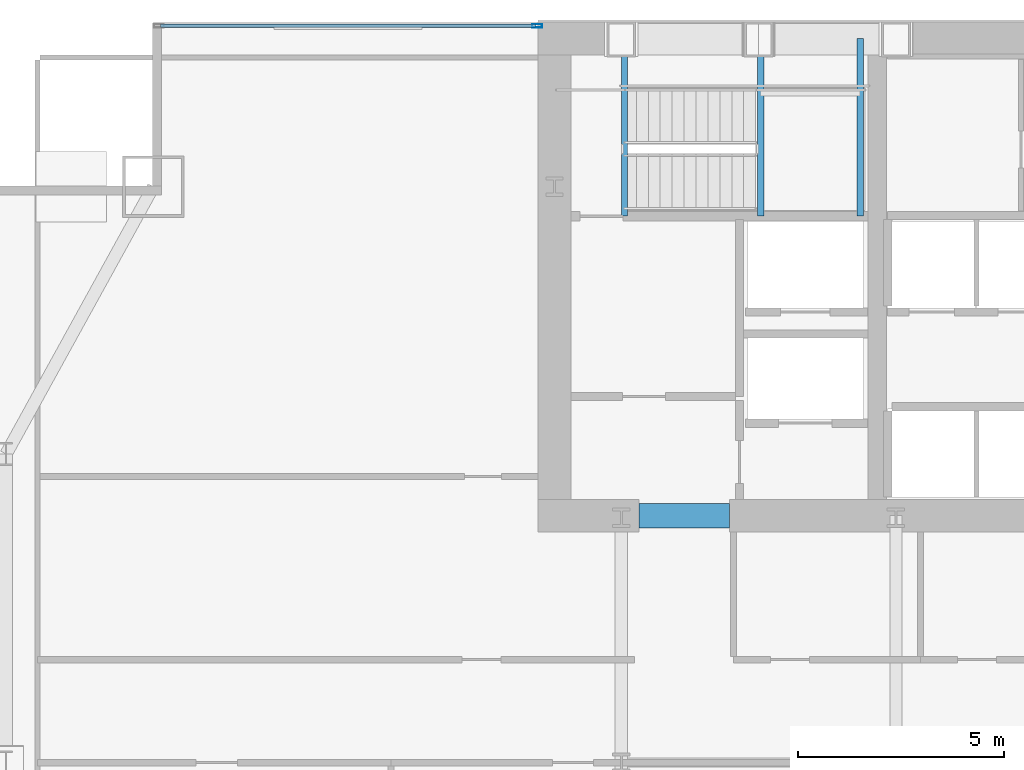
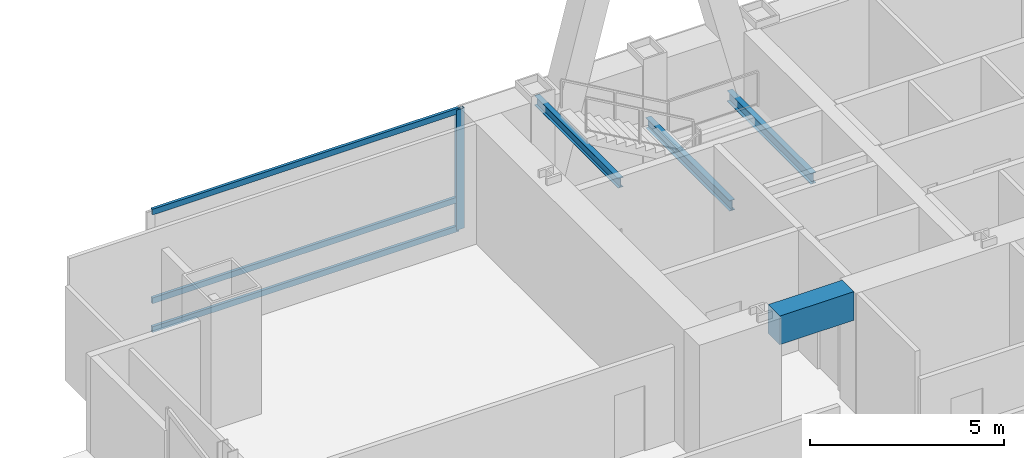
# One storey, part 17 of 32: 4 beams, 4 members, 1 element without a shape of its own.
"""IFC4 building model written with IfcOpenShell, lengths in metres."""

from ifc_helpers import new_model, si_unit, direction, frame, origin, origin_2d, place, context, subcontext, project, spatial, rectangle, hollow_rectangle, i_section, extrude, material, material_profile, profile_set, type_object, element, aggregate, save


model = new_model("IFC4")

# Units and contexts
model_context = context("Model", 3, precision=1e-05, world=origin(), true_north=direction((0.0, 1.0)))
body_context = subcontext(model_context, "Body", "Model", "MODEL_VIEW")
ifc_project = project(units=[si_unit("LENGTHUNIT", "METRE"), si_unit("AREAUNIT", "SQUARE_METRE"), si_unit("VOLUMEUNIT", "CUBIC_METRE"), si_unit("PLANEANGLEUNIT", "RADIAN"), si_unit("MASSUNIT", "GRAM", prefix="KILO")], contexts=[model_context])

# Site, building, storey
site_placement = place(None, origin())
site = spatial("IfcSite", under=ifc_project, at=site_placement, CompositionType="ELEMENT")
building_placement = place(site_placement, origin())
building = spatial("IfcBuilding", under=site, at=building_placement, Name="Khoronbel Lancet Exchange", CompositionType="ELEMENT")
storey_placement = place(building_placement, frame((0.0, 0.0, 81.800048828125)))
storey = spatial("IfcBuildingStorey", under=building, at=storey_placement, Name="L19", CompositionType="ELEMENT", Elevation=81.800048828125)

# Beams
ifc_material_1 = material(Name="Steel S355", Category="steel")
ifc_material_profile_1 = material_profile(ifc_material_1, i_section(OverallWidth=0.159912109375, OverallDepth=0.330078125, WebThickness=0.007568359375, FlangeThickness=0.011474609375, at=origin_2d()), Name="IPE 330")
ifc_profile_set_1 = profile_set([ifc_material_profile_1], Name="Steel S355")
beam_type_1 = type_object("IfcBeamType", Name="BM-BJ7", PredefinedType="JOIST", material=ifc_profile_set_1)
for number, where, z_axis, x_axis, name in (
    (1, (21.610107421875, 48.97998046875, 1.635009765625), (0.0, 1.0, 0.0), (-1.0, 0.0, 0.0), "Level L19 stair ST1 landing bearer beam 1"),
    (2, (24.030029296875, 48.97998046875, 1.635009765625), (0.0, 1.0, 0.0), (-1.0, 0.0, 0.0), "Level L19 stair ST1 rear landing bearer beam 1"),
):
    element("IfcBeam", number, at=place(storey_placement, frame(where, z_axis=z_axis, x_axis=x_axis)), inside=storey, type_object=beam_type_1, Name=name, PredefinedType="JOIST", context=body_context, shape_type="SweptSolid", body=[
        extrude(i_section(OverallWidth=0.159912109375, OverallDepth=0.330078125, WebThickness=0.007568359375, FlangeThickness=0.011474609375, at=origin_2d()), origin(), (0.0, 0.0, 1.0), 4.320068359375),
    ])
ifc_material_profile_2 = material_profile(ifc_material_1, i_section(OverallWidth=0.14990234375, OverallDepth=0.300048828125, WebThickness=0.007080078125, FlangeThickness=0.0107421875, at=origin_2d()), Name="IPE 300")
ifc_profile_set_2 = profile_set([ifc_material_profile_2], Name="Steel S355")
beam_type_2 = type_object("IfcBeamType", Name="BM-BJ8", PredefinedType="JOIST", material=ifc_profile_set_2)
beam_1_placement = place(storey_placement, frame((18.300048828125, 48.97998046875, 3.5), z_axis=(0.0, 1.0, 0.0), x_axis=(-1.0, 0.0, 0.0)))
element("IfcBeam", 3, at=beam_1_placement, inside=storey, type_object=beam_type_2, Name="Level L19 stair ST1 upper-flight arrival trimmer beam", PredefinedType="JOIST", context=body_context, shape_type="SweptSolid", body=[
    extrude(i_section(OverallWidth=0.14990234375, OverallDepth=0.300048828125, WebThickness=0.007080078125, FlangeThickness=0.0107421875, at=origin_2d()), origin(), (0.0, 0.0, 1.0), 4.320068359375),
])
ifc_material_2 = material(Name="Concrete C80/95", Category="concrete")
ifc_material_profile_3 = material_profile(ifc_material_2, rectangle(XDim=0.60009765625, YDim=0.89990234375, at=origin_2d()), Name="RC 600x900")
ifc_profile_set_3 = profile_set([ifc_material_profile_3], Name="Concrete C80/95")
beam_type_3 = type_object("IfcBeamType", Name="BM-BL1", PredefinedType="LINTEL", material=ifc_profile_set_3)
beam_2_placement = place(storey_placement, frame((18.64990234375, 41.699951171875, 3.329833984375), z_axis=(1.0, 0.0, 0.0), x_axis=(0.0, 1.0, 0.0)))
element("IfcBeam", 4, at=beam_2_placement, inside=storey, type_object=beam_type_3, Name="Level L19 rear core coupling lintel L1", PredefinedType="LINTEL", context=body_context, shape_type="SweptSolid", body=[
    extrude(rectangle(XDim=0.60009765625, YDim=0.89990234375, at=origin_2d()), origin(), (0.0, 0.0, 1.0), 2.2001953125),
])

# Curtain wall, members
ifc_material_3 = material(Name="Low-E Solar Control Insulating Glass", Category="glass")
curtain_wall_type = type_object("IfcCurtainWallType", Name="CW-2", PredefinedType="NOTDEFINED", material=ifc_material_3)
curtain_wall_placement = place(storey_placement, origin())
curtain_wall = element("IfcCurtainWall", 5, at=curtain_wall_placement, inside=storey, type_object=curtain_wall_type, Name="Unitised curtain wall CW-L19-NWFLK", PredefinedType="NOTDEFINED")
ifc_material_4 = material(Name="Bronze-Anodised Aluminium 6063-T6", Category="aluminium")
ifc_material_profile_4 = material_profile(ifc_material_4, hollow_rectangle(XDim=0.0849609375, YDim=0.239990234375, WallThickness=0.006103515625, at=origin_2d()), Name="ALU MULLION 85x240")
ifc_profile_set_4 = profile_set([ifc_material_profile_4], Name="Bronze-Anodised Aluminium 6063-T6")
member_type_1 = type_object("IfcMemberType", Name="MEM-CWM1", PredefinedType="MULLION", material=ifc_profile_set_4)
member_1_placement = place(storey_placement, frame((16.177490234375, 53.610107421875, 0.0), z_axis=(0.0, 0.0, 1.0), x_axis=(0.0, -1.0, 0.0)))
member_1 = element("IfcMember", 6, at=member_1_placement, type_object=member_type_1, Name="CW2 mullion 1", PredefinedType="MULLION", context=body_context, shape_type="SweptSolid", body=[
    extrude(hollow_rectangle(XDim=0.0849609375, YDim=0.239990234375, WallThickness=0.006103515625, at=origin_2d()), origin(), (0.0, 0.0, 1.0), 3.780029296875),
])
ifc_material_profile_5 = material_profile(ifc_material_4, hollow_rectangle(XDim=0.0849609375, YDim=0.179931640625, WallThickness=0.0048828125, at=origin_2d()), Name="ALU TRANSOM 85x180")
ifc_profile_set_5 = profile_set([ifc_material_profile_5], Name="Bronze-Anodised Aluminium 6063-T6")
member_type_2 = type_object("IfcMemberType", Name="MEM-CWT1", PredefinedType="USERDEFINED", material=ifc_profile_set_5)
member_2_placement = place(storey_placement, frame((16.135009765625, 53.610107421875, 0.04248046875), z_axis=(-1.0, 0.0, 0.0), x_axis=(0.0, -1.0, 0.0)))
member_2 = element("IfcMember", 7, at=member_2_placement, type_object=member_type_2, Name="CW2 transom 1.1", ObjectType="TRANSOM", PredefinedType="USERDEFINED", context=body_context, shape_type="SweptSolid", body=[
    extrude(hollow_rectangle(XDim=0.0849609375, YDim=0.179931640625, WallThickness=0.0048828125, at=origin_2d()), origin(), (0.0, 0.0, 1.0), 9.110107421875),
])
member_3_placement = place(storey_placement, frame((16.135009765625, 53.610107421875, 0.949951171875), z_axis=(-1.0, 0.0, 0.0), x_axis=(0.0, -1.0, 0.0)))
member_3 = element("IfcMember", 8, at=member_3_placement, type_object=member_type_2, Name="CW2 transom 1.2", ObjectType="TRANSOM", PredefinedType="USERDEFINED", context=body_context, shape_type="SweptSolid", body=[
    extrude(hollow_rectangle(XDim=0.0849609375, YDim=0.179931640625, WallThickness=0.0048828125, at=origin_2d()), origin(), (0.0, 0.0, 1.0), 9.110107421875),
])
member_4_placement = place(storey_placement, frame((16.135009765625, 53.610107421875, 3.737548828125), z_axis=(-1.0, 0.0, 0.0), x_axis=(0.0, -1.0, 0.0)))
member_4 = element("IfcMember", 9, at=member_4_placement, type_object=member_type_2, Name="CW2 transom 1.3", ObjectType="TRANSOM", PredefinedType="USERDEFINED", context=body_context, shape_type="SweptSolid", body=[
    extrude(hollow_rectangle(XDim=0.0849609375, YDim=0.179931640625, WallThickness=0.0048828125, at=origin_2d()), origin(), (0.0, 0.0, 1.0), 9.110107421875),
])
aggregate(curtain_wall, [member_1, member_2, member_3, member_4])

save(model, "model.ifc")
